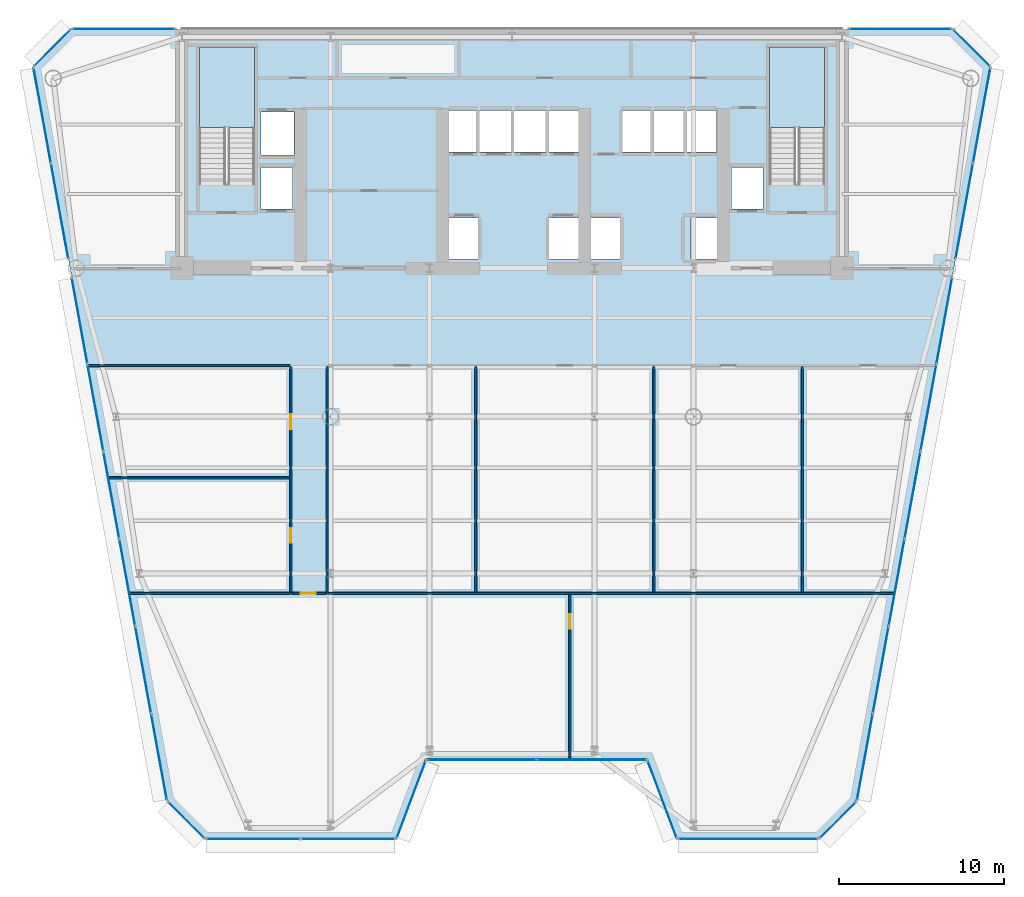
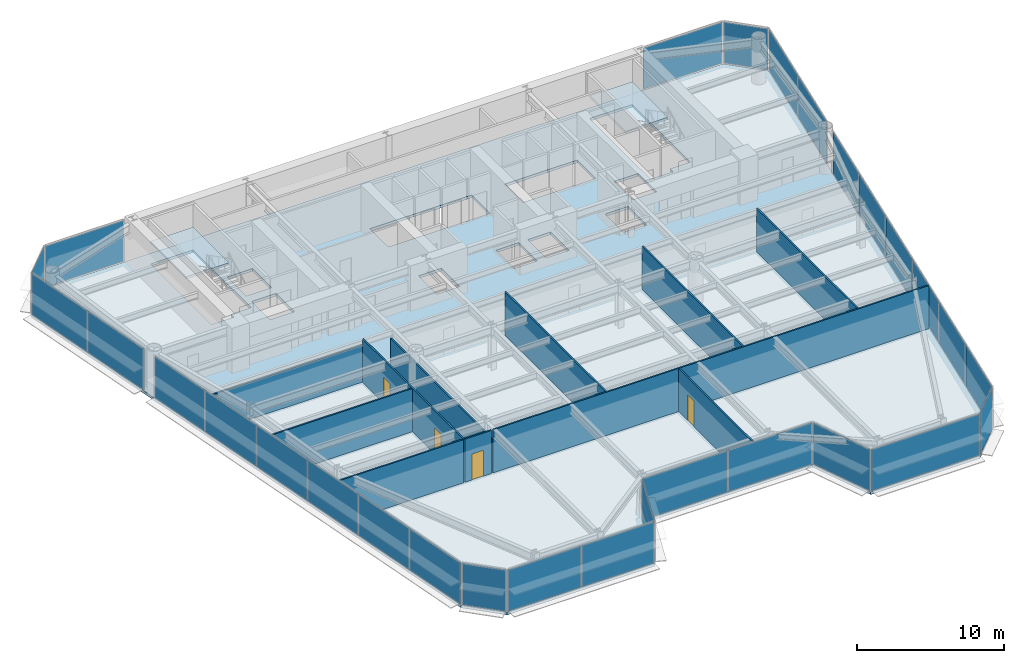
# One storey, part 7 of 14: 29 plates, 11 walls, 4 doors, 3 slabs, 4 openings, 17 elements without a shape of their own.
"""IFC4 building model written with IfcOpenShell, lengths in metres."""

from ifc_helpers import new_model, si_unit, direction, frame, frame_2d, origin, origin_2d, place, context, subcontext, project, spatial, polyline, rectangle, outline, extrude, source, transform, mapped, material, layer, layer_set, type_object, element, fill, aggregate, save


model = new_model("IFC4")

# Units and contexts
model_context = context("Model", 3, precision=1e-05, world=origin(), true_north=direction((0.0, 1.0)))
body_context = subcontext(model_context, "Body", "Model", "MODEL_VIEW")
ifc_project = project(units=[si_unit("LENGTHUNIT", "METRE"), si_unit("AREAUNIT", "SQUARE_METRE"), si_unit("VOLUMEUNIT", "CUBIC_METRE"), si_unit("PLANEANGLEUNIT", "RADIAN"), si_unit("MASSUNIT", "GRAM", prefix="KILO")], contexts=[model_context])

# Site, building, storey
site_placement = place(None, origin())
site = spatial("IfcSite", under=ifc_project, at=site_placement, CompositionType="ELEMENT")
building_placement = place(site_placement, origin())
building = spatial("IfcBuilding", under=site, at=building_placement, Name="Vaeldorn Concourse Tower", CompositionType="ELEMENT")
storey_placement = place(building_placement, frame((0.0, 0.0, 114.800048828125)))
storey = spatial("IfcBuildingStorey", under=building, at=storey_placement, Name="L29", CompositionType="ELEMENT", Elevation=114.800048828125)

# Stair, slab
ifc_material_1 = material(Name="Precast concrete C40/50", Category="concrete")
stair_type = type_object("IfcStairType", Name="STR-DOG-24x158", PredefinedType="HALF_TURN_STAIR", material=ifc_material_1)
stair_1_placement = place(storey_placement, origin())
stair_1 = element("IfcStair", 1, at=stair_1_placement, inside=storey, type_object=stair_type, Name="L29 West Core Exit Stair ST-1", PredefinedType="HALF_TURN_STAIR")
ifc_material_2 = material(Name="Concrete C40/50", Category="concrete")
ifc_layer_1 = layer(ifc_material_2, 0.199951171875)
ifc_layer_set_1 = layer_set([ifc_layer_1], Name="Concrete C40/50")
slab_type_1 = type_object("IfcSlabType", Name="SL-STAIR-LANDING", PredefinedType="LANDING", material=ifc_layer_set_1)
slab_1_placement = place(storey_placement, frame((0.0, 0.0, 1.699951171875)))
slab_1 = element("IfcSlab", 2, at=slab_1_placement, type_object=slab_type_1, Name="ST-1 landing 1", PredefinedType="LANDING", context=body_context, shape_type="SweptSolid", body=[
    extrude(outline(polyline([(18.39990234375, 45.010009765625), (18.39990234375, 49.89990234375), (15.050048828125, 49.89990234375), (15.050048828125, 45.010009765625), (18.39990234375, 45.010009765625)])), origin(), (0.0, 0.0, 1.0), 0.199951171875),
])
aggregate(stair_1, [slab_1])

stair_2_placement = place(storey_placement, origin())
stair_2 = element("IfcStair", 3, at=stair_2_placement, inside=storey, type_object=stair_type, Name="L29 East Core Exit Stair ST-2", PredefinedType="HALF_TURN_STAIR")
slab_2_placement = place(storey_placement, frame((0.0, 0.0, 1.699951171875)))
slab_2 = element("IfcSlab", 4, at=slab_2_placement, type_object=slab_type_1, Name="ST-2 landing 1", PredefinedType="LANDING", context=body_context, shape_type="SweptSolid", body=[
    extrude(outline(polyline([(52.949951171875, 45.010009765625), (52.949951171875, 49.89990234375), (49.60009765625, 49.89990234375), (49.60009765625, 45.010009765625), (52.949951171875, 45.010009765625)])), origin(), (0.0, 0.0, 1.0), 0.199951171875),
])
aggregate(stair_2, [slab_2])

# Slab
ifc_layer_2 = layer(ifc_material_2, 0.219970703125)
ifc_layer_set_2 = layer_set([ifc_layer_2], Name="Concrete C40/50")
slab_type_2 = type_object("IfcSlabType", Name="SL-TYP-220", PredefinedType="FLOOR", material=ifc_layer_set_2)
slab_3_placement = place(storey_placement, frame((0.0, 0.0, -0.219970703125)))
element("IfcSlab", 5, at=slab_3_placement, inside=storey, type_object=slab_type_2, Name="Structural Floor Slab L29", PredefinedType="FLOOR", context=body_context, shape_type="SweptSolid", body=[
    extrude(outline(polyline([(15.3994140625, 1.91259765625), (27.0, 1.91259765625), (28.800048828125, 6.712646484375), (42.199951171875, 6.712646484375), (44.0, 1.91259765625), (52.6005859375, 1.91259765625), (54.900634765625, 4.212646484375), (63.0, 48.699951171875), (60.699951171875, 51.0), (7.300048828125, 51.0), (5.0, 48.699951171875), (13.099365234375, 4.212646484375), (15.3994140625, 1.91259765625)]), holes=[polyline([(18.39990234375, 42.0), (18.39990234375, 49.89990234375), (15.050048828125, 49.89990234375), (15.050048828125, 41.60009765625), (16.800048828125, 41.60009765625), (16.800048828125, 42.0), (18.39990234375, 42.0)]), polyline([(52.949951171875, 42.0), (52.949951171875, 49.89990234375), (49.60009765625, 49.89990234375), (49.60009765625, 41.60009765625), (51.35009765625, 41.60009765625), (51.35009765625, 42.0), (52.949951171875, 42.0)]), polyline([(30.14990234375, 37.050048828125), (31.949951171875, 37.050048828125), (31.949951171875, 39.550048828125), (30.14990234375, 39.550048828125), (30.14990234375, 37.050048828125)]), polyline([(36.25, 37.050048828125), (38.050048828125, 37.050048828125), (38.050048828125, 39.550048828125), (36.25, 39.550048828125), (36.25, 37.050048828125)]), polyline([(30.10009765625, 43.550048828125), (38.10009765625, 43.550048828125), (38.10009765625, 46.050048828125), (30.10009765625, 46.050048828125), (30.10009765625, 43.550048828125)]), polyline([(38.75, 37.050048828125), (40.550048828125, 37.050048828125), (40.550048828125, 39.550048828125), (38.75, 39.550048828125), (38.75, 37.050048828125)]), polyline([(44.85009765625, 37.050048828125), (46.64990234375, 37.050048828125), (46.64990234375, 39.550048828125), (44.85009765625, 39.550048828125), (44.85009765625, 37.050048828125)]), polyline([(40.699951171875, 43.550048828125), (46.39990234375, 43.550048828125), (46.39990234375, 46.050048828125), (40.699951171875, 46.050048828125), (40.699951171875, 43.550048828125)]), polyline([(18.800048828125, 43.35009765625), (20.800048828125, 43.35009765625), (20.800048828125, 45.949951171875), (18.800048828125, 45.949951171875), (18.800048828125, 43.35009765625)]), polyline([(18.800048828125, 40.10009765625), (20.699951171875, 40.10009765625), (20.699951171875, 42.60009765625), (18.800048828125, 42.60009765625), (18.800048828125, 40.10009765625)]), polyline([(47.300048828125, 40.10009765625), (49.199951171875, 40.10009765625), (49.199951171875, 42.60009765625), (47.300048828125, 42.60009765625), (47.300048828125, 40.10009765625)])]), origin(), (0.0, 0.0, 1.0), 0.219970703125),
])

# Curtain wall, plate
ifc_material_3 = material(Name="Anodised Bronze Aluminium", Category="aluminium")
ifc_layer_3 = layer(ifc_material_3, 0.199951171875)
ifc_layer_set_3 = layer_set([ifc_layer_3], Name="Anodised Bronze Aluminium")
curtain_wall_type = type_object("IfcCurtainWallType", Name="CW-SYS-02", PredefinedType="NOTDEFINED", material=ifc_layer_set_3)
curtain_wall_1_placement = place(storey_placement, origin())
curtain_wall_1 = element("IfcCurtainWall", 6, at=curtain_wall_1_placement, inside=storey, type_object=curtain_wall_type, Name="Unitised Curtain Wall CW-L29-E02-1", PredefinedType="NOTDEFINED")
ifc_material_4 = material(Name="Bronze Tinted Low-E Insulated Glass", Category="glass")
ifc_layer_4 = layer(ifc_material_4, 0.031982421875)
ifc_layer_set_4 = layer_set([ifc_layer_4], Name="Bronze Tinted Low-E Insulated Glass")
plate_type = type_object("IfcPlateType", Name="CWP-VISION-32", PredefinedType="CURTAIN_PANEL", material=ifc_layer_set_4)
shared_shape_1 = source(origin(), body_context, "Body", "SweptSolid", [
    extrude(rectangle(XDim=4.976318359375, YDim=0.031982421875, at=origin_2d()), origin(), (0.0, 0.0, 1.0), 3.429931640625),
])
plate_1_placement = place(storey_placement, frame((27.89990234375, 4.3125, 0.0751953125), z_axis=(0.0, 0.0, 1.0), x_axis=(0.351123441595, 0.936329177566, 0.0)))
plate_1 = element("IfcPlate", 7, at=plate_1_placement, type_object=plate_type, Name="CW-02 panel 1.1", PredefinedType="CURTAIN_PANEL", context=body_context, shape_type="MappedRepresentation", body=[
    mapped(shared_shape_1, transform((0.0, 0.0, 0.0), scale=1.0)),
])
aggregate(curtain_wall_1, [plate_1])

curtain_wall_2_placement = place(storey_placement, origin())
curtain_wall_2 = element("IfcCurtainWall", 8, at=curtain_wall_2_placement, inside=storey, type_object=curtain_wall_type, Name="Unitised Curtain Wall CW-L29-E04-1", PredefinedType="NOTDEFINED")
plate_2_placement = place(storey_placement, frame((43.10009765625, 4.3125, 0.0751953125), z_axis=(0.0, 0.0, 1.0), x_axis=(0.351123441595, -0.936329177566, 0.0)))
plate_2 = element("IfcPlate", 9, at=plate_2_placement, type_object=plate_type, Name="CW-02 panel 1.1", PredefinedType="CURTAIN_PANEL", context=body_context, shape_type="MappedRepresentation", body=[
    mapped(shared_shape_1, transform((0.0, 0.0, 0.0), scale=1.0)),
])
aggregate(curtain_wall_2, [plate_2])

# Curtain wall, plates
curtain_wall_3_placement = place(storey_placement, origin())
curtain_wall_3 = element("IfcCurtainWall", 10, at=curtain_wall_3_placement, inside=storey, type_object=curtain_wall_type, Name="Unitised Curtain Wall CW-L29-E03-1", PredefinedType="NOTDEFINED")
shared_shape_2 = source(origin(), body_context, "Body", "SweptSolid", [
    extrude(rectangle(XDim=6.58740234375, YDim=0.031982421875, at=origin_2d()), origin(), (0.0, 0.0, 1.0), 3.429931640625),
])
plate_3_placement = place(storey_placement, frame((32.168701171875, 6.712646484375, 0.0751953125), z_axis=(0.0, 0.0, 1.0), x_axis=(1.0, 0.0, 0.0)))
plate_3 = element("IfcPlate", 11, at=plate_3_placement, type_object=plate_type, Name="CW-02 panel 1.1", PredefinedType="CURTAIN_PANEL", context=body_context, shape_type="MappedRepresentation", body=[
    mapped(shared_shape_2, transform((0.0, 0.0, 0.0), scale=1.0)),
])
plate_4_placement = place(storey_placement, frame((38.831298828125, 6.712646484375, 0.0751953125), z_axis=(0.0, 0.0, 1.0), x_axis=(1.0, 0.0, 0.0)))
plate_4 = element("IfcPlate", 12, at=plate_4_placement, type_object=plate_type, Name="CW-02 panel 2.1", PredefinedType="CURTAIN_PANEL", context=body_context, shape_type="MappedRepresentation", body=[
    mapped(shared_shape_2, transform((0.0, 0.0, 0.0), scale=1.0)),
])
aggregate(curtain_wall_3, [plate_3, plate_4])

# Curtain wall, plate
curtain_wall_4_placement = place(storey_placement, origin())
curtain_wall_4 = element("IfcCurtainWall", 13, at=curtain_wall_4_placement, inside=storey, type_object=curtain_wall_type, Name="Unitised Curtain Wall CW-L29-E06-1", PredefinedType="NOTDEFINED")
shared_shape_3 = source(origin(), body_context, "Body", "SweptSolid", [
    extrude(rectangle(XDim=3.102783203125, YDim=0.031982421875, at=origin_2d()), origin(), (0.0, 0.0, 1.0), 3.429931640625),
])
plate_5_placement = place(storey_placement, frame((53.75048828125, 3.0625, 0.0751953125), z_axis=(0.0, 0.0, 1.0), x_axis=(0.707106781187, 0.707106781187, 0.0)))
plate_5 = element("IfcPlate", 14, at=plate_5_placement, type_object=plate_type, Name="CW-02 panel 1.1", PredefinedType="CURTAIN_PANEL", context=body_context, shape_type="MappedRepresentation", body=[
    mapped(shared_shape_3, transform((0.0, 0.0, 0.0), scale=1.0)),
])
aggregate(curtain_wall_4, [plate_5])

curtain_wall_5_placement = place(storey_placement, origin())
curtain_wall_5 = element("IfcCurtainWall", 15, at=curtain_wall_5_placement, inside=storey, type_object=curtain_wall_type, Name="Unitised Curtain Wall CW-L29-E08-1", PredefinedType="NOTDEFINED")
plate_6_placement = place(storey_placement, frame((61.85009765625, 49.85009765625, 0.0751953125), z_axis=(0.0, 0.0, 1.0), x_axis=(-0.707106781187, 0.707106781187, 0.0)))
plate_6 = element("IfcPlate", 16, at=plate_6_placement, type_object=plate_type, Name="CW-02 panel 1.1", PredefinedType="CURTAIN_PANEL", context=body_context, shape_type="MappedRepresentation", body=[
    mapped(shared_shape_3, transform((0.0, 0.0, 0.0), scale=1.0)),
])
aggregate(curtain_wall_5, [plate_6])

curtain_wall_6_placement = place(storey_placement, origin())
curtain_wall_6 = element("IfcCurtainWall", 17, at=curtain_wall_6_placement, inside=storey, type_object=curtain_wall_type, Name="Unitised Curtain Wall CW-L29-E10-1", PredefinedType="NOTDEFINED")
plate_7_placement = place(storey_placement, frame((6.14990234375, 49.85009765625, 0.0751953125), z_axis=(0.0, 0.0, 1.0), x_axis=(-0.707106781187, -0.707106781187, 0.0)))
plate_7 = element("IfcPlate", 18, at=plate_7_placement, type_object=plate_type, Name="CW-02 panel 1.1", PredefinedType="CURTAIN_PANEL", context=body_context, shape_type="MappedRepresentation", body=[
    mapped(shared_shape_3, transform((0.0, 0.0, 0.0), scale=1.0)),
])
aggregate(curtain_wall_6, [plate_7])

curtain_wall_7_placement = place(storey_placement, origin())
curtain_wall_7 = element("IfcCurtainWall", 19, at=curtain_wall_7_placement, inside=storey, type_object=curtain_wall_type, Name="Unitised Curtain Wall CW-L29-E12-1", PredefinedType="NOTDEFINED")
plate_8_placement = place(storey_placement, frame((14.24951171875, 3.0625, 0.0751953125), z_axis=(0.0, 0.0, 1.0), x_axis=(0.707106781187, -0.707106781187, 0.0)))
plate_8 = element("IfcPlate", 20, at=plate_8_placement, type_object=plate_type, Name="CW-02 panel 1.1", PredefinedType="CURTAIN_PANEL", context=body_context, shape_type="MappedRepresentation", body=[
    mapped(shared_shape_3, transform((0.0, 0.0, 0.0), scale=1.0)),
])
aggregate(curtain_wall_7, [plate_8])

# Curtain wall, plates
curtain_wall_8_placement = place(storey_placement, origin())
curtain_wall_8 = element("IfcCurtainWall", 21, at=curtain_wall_8_placement, inside=storey, type_object=curtain_wall_type, Name="Unitised Curtain Wall CW-L29-E01-1", PredefinedType="NOTDEFINED")
shared_shape_4 = source(origin(), body_context, "Body", "SweptSolid", [
    extrude(rectangle(XDim=5.687744140625, YDim=0.031982421875, at=origin_2d()), origin(), (0.0, 0.0, 1.0), 3.429931640625),
])
plate_9_placement = place(storey_placement, frame((18.318359375, 1.91259765625, 0.0751953125), z_axis=(0.0, 0.0, 1.0), x_axis=(1.0, 0.0, 0.0)))
plate_9 = element("IfcPlate", 22, at=plate_9_placement, type_object=plate_type, Name="CW-02 panel 1.1", PredefinedType="CURTAIN_PANEL", context=body_context, shape_type="MappedRepresentation", body=[
    mapped(shared_shape_4, transform((0.0, 0.0, 0.0), scale=1.0)),
])
plate_10_placement = place(storey_placement, frame((24.0810546875, 1.91259765625, 0.0751953125), z_axis=(0.0, 0.0, 1.0), x_axis=(1.0, 0.0, 0.0)))
plate_10 = element("IfcPlate", 23, at=plate_10_placement, type_object=plate_type, Name="CW-02 panel 2.1", PredefinedType="CURTAIN_PANEL", context=body_context, shape_type="MappedRepresentation", body=[
    mapped(shared_shape_4, transform((0.0, 0.0, 0.0), scale=1.0)),
])
aggregate(curtain_wall_8, [plate_9, plate_10])

# Curtain wall, plate
curtain_wall_9_placement = place(storey_placement, origin())
curtain_wall_9 = element("IfcCurtainWall", 24, at=curtain_wall_9_placement, inside=storey, type_object=curtain_wall_type, Name="Unitised Curtain Wall CW-L29-E05-1", PredefinedType="NOTDEFINED")
shared_shape_5 = source(origin(), body_context, "Body", "SweptSolid", [
    extrude(rectangle(XDim=8.45068359375, YDim=0.031982421875, at=origin_2d()), origin(), (0.0, 0.0, 1.0), 3.429931640625),
])
plate_11_placement = place(storey_placement, frame((48.30029296875, 1.91259765625, 0.0751953125), z_axis=(0.0, 0.0, 1.0), x_axis=(1.0, 0.0, 0.0)))
plate_11 = element("IfcPlate", 25, at=plate_11_placement, type_object=plate_type, Name="CW-02 panel 1.1", PredefinedType="CURTAIN_PANEL", context=body_context, shape_type="MappedRepresentation", body=[
    mapped(shared_shape_5, transform((0.0, 0.0, 0.0), scale=1.0)),
])
aggregate(curtain_wall_9, [plate_11])

curtain_wall_10_placement = place(storey_placement, origin())
curtain_wall_10 = element("IfcCurtainWall", 26, at=curtain_wall_10_placement, inside=storey, type_object=curtain_wall_type, Name="Unitised Curtain Wall CW-L29-E09-1", PredefinedType="NOTDEFINED")
shared_shape_6 = source(origin(), body_context, "Body", "SweptSolid", [
    extrude(rectangle(XDim=6.179931640625, YDim=0.031982421875, at=origin_2d()), origin(), (0.0, 0.0, 1.0), 3.429931640625),
])
plate_12_placement = place(storey_placement, frame((57.534912109375, 51.0, 0.0751953125), z_axis=(0.0, 0.0, 1.0), x_axis=(-1.0, 0.0, 0.0)))
plate_12 = element("IfcPlate", 27, at=plate_12_placement, type_object=plate_type, Name="CW-02 panel 1.1", PredefinedType="CURTAIN_PANEL", context=body_context, shape_type="MappedRepresentation", body=[
    mapped(shared_shape_6, transform((0.0, 0.0, 0.0), scale=1.0)),
])
aggregate(curtain_wall_10, [plate_12])

curtain_wall_11_placement = place(storey_placement, origin())
curtain_wall_11 = element("IfcCurtainWall", 28, at=curtain_wall_11_placement, inside=storey, type_object=curtain_wall_type, Name="Unitised Curtain Wall CW-L29-E09-2", PredefinedType="NOTDEFINED")
plate_13_placement = place(storey_placement, frame((10.465087890625, 51.0, 0.0751953125), z_axis=(0.0, 0.0, 1.0), x_axis=(-1.0, 0.0, 0.0)))
plate_13 = element("IfcPlate", 29, at=plate_13_placement, type_object=plate_type, Name="CW-02 panel 1.1", PredefinedType="CURTAIN_PANEL", context=body_context, shape_type="MappedRepresentation", body=[
    mapped(shared_shape_6, transform((0.0, 0.0, 0.0), scale=1.0)),
])
aggregate(curtain_wall_11, [plate_13])

# Curtain wall, plates
curtain_wall_12_placement = place(storey_placement, origin())
curtain_wall_12 = element("IfcCurtainWall", 30, at=curtain_wall_12_placement, inside=storey, type_object=curtain_wall_type, Name="Unitised Curtain Wall CW-L29-E07-1", PredefinedType="NOTDEFINED")
shared_shape_7 = source(origin(), body_context, "Body", "SweptSolid", [
    extrude(rectangle(XDim=5.26953125, YDim=0.031982421875, at=origin_2d()), origin(), (0.0, 0.0, 1.0), 3.429931640625),
])
plate_14_placement = place(storey_placement, frame((55.385986328125, 6.87841796875, 0.0751953125), z_axis=(0.0, 0.0, 1.0), x_axis=(0.179117617213, 0.983827667432, 0.0)))
plate_14 = element("IfcPlate", 31, at=plate_14_placement, type_object=plate_type, Name="CW-02 panel 1.1", PredefinedType="CURTAIN_PANEL", context=body_context, shape_type="MappedRepresentation", body=[
    mapped(shared_shape_7, transform((0.0, 0.0, 0.0), scale=1.0)),
])
plate_15_placement = place(storey_placement, frame((60.19921875, 33.316162109375, 0.0751953125), z_axis=(0.0, 0.0, 1.0), x_axis=(0.179117617213, 0.983827667432, 0.0)))
plate_15 = element("IfcPlate", 32, at=plate_15_placement, type_object=plate_type, Name="CW-02 panel 6.1", PredefinedType="CURTAIN_PANEL", context=body_context, shape_type="MappedRepresentation", body=[
    mapped(shared_shape_7, transform((0.0, 0.0, 0.0), scale=1.0)),
])

curtain_wall_13_placement = place(storey_placement, origin())
curtain_wall_13 = element("IfcCurtainWall", 33, at=curtain_wall_13_placement, inside=storey, type_object=curtain_wall_type, Name="Unitised Curtain Wall CW-L29-E11-2", PredefinedType="NOTDEFINED")
plate_16_placement = place(storey_placement, frame((7.80078125, 33.316162109375, 0.0751953125), z_axis=(0.0, 0.0, 1.0), x_axis=(0.179117617213, -0.983827667432, 0.0)))
plate_16 = element("IfcPlate", 34, at=plate_16_placement, type_object=plate_type, Name="CW-02 panel 1.1", PredefinedType="CURTAIN_PANEL", context=body_context, shape_type="MappedRepresentation", body=[
    mapped(shared_shape_7, transform((0.0, 0.0, 0.0), scale=1.0)),
])
plate_17_placement = place(storey_placement, frame((12.614013671875, 6.87841796875, 0.0751953125), z_axis=(0.0, 0.0, 1.0), x_axis=(0.179117617213, -0.983827667432, 0.0)))
plate_17 = element("IfcPlate", 35, at=plate_17_placement, type_object=plate_type, Name="CW-02 panel 6.1", PredefinedType="CURTAIN_PANEL", context=body_context, shape_type="MappedRepresentation", body=[
    mapped(shared_shape_7, transform((0.0, 0.0, 0.0), scale=1.0)),
])

# Plate
shared_shape_8 = source(origin(), body_context, "Body", "SweptSolid", [
    extrude(rectangle(XDim=5.306884765625, YDim=0.031982421875, at=origin_2d()), origin(), (0.0, 0.0, 1.0), 3.429931640625),
])
plate_18_placement = place(storey_placement, frame((56.3466796875, 12.155029296875, 0.0751953125), z_axis=(0.0, 0.0, 1.0), x_axis=(0.179117617213, 0.983827667432, 0.0)))
plate_18 = element("IfcPlate", 36, at=plate_18_placement, type_object=plate_type, Name="CW-02 panel 2.1", PredefinedType="CURTAIN_PANEL", context=body_context, shape_type="MappedRepresentation", body=[
    mapped(shared_shape_8, transform((0.0, 0.0, 0.0), scale=1.0)),
])

plate_19_placement = place(storey_placement, frame((57.310546875, 17.449951171875, 0.0751953125), z_axis=(0.0, 0.0, 1.0), x_axis=(0.179117617213, 0.983827667432, 0.0)))
plate_19 = element("IfcPlate", 37, at=plate_19_placement, type_object=plate_type, Name="CW-02 panel 3.1", PredefinedType="CURTAIN_PANEL", context=body_context, shape_type="MappedRepresentation", body=[
    mapped(shared_shape_8, transform((0.0, 0.0, 0.0), scale=1.0)),
])

plate_20_placement = place(storey_placement, frame((58.274658203125, 22.74462890625, 0.0751953125), z_axis=(0.0, 0.0, 1.0), x_axis=(0.179117617213, 0.983827667432, 0.0)))
plate_20 = element("IfcPlate", 38, at=plate_20_placement, type_object=plate_type, Name="CW-02 panel 4.1", PredefinedType="CURTAIN_PANEL", context=body_context, shape_type="MappedRepresentation", body=[
    mapped(shared_shape_8, transform((0.0, 0.0, 0.0), scale=1.0)),
])

plate_21_placement = place(storey_placement, frame((59.238525390625, 28.03955078125, 0.0751953125), z_axis=(0.0, 0.0, 1.0), x_axis=(0.179117617213, 0.983827667432, 0.0)))
plate_21 = element("IfcPlate", 39, at=plate_21_placement, type_object=plate_type, Name="CW-02 panel 5.1", PredefinedType="CURTAIN_PANEL", context=body_context, shape_type="MappedRepresentation", body=[
    mapped(shared_shape_8, transform((0.0, 0.0, 0.0), scale=1.0)),
])

aggregate(curtain_wall_12, [plate_14, plate_18, plate_19, plate_20, plate_21, plate_15])

plate_22_placement = place(storey_placement, frame((8.761474609375, 28.03955078125, 0.0751953125), z_axis=(0.0, 0.0, 1.0), x_axis=(0.179117617213, -0.983827667432, 0.0)))
plate_22 = element("IfcPlate", 40, at=plate_22_placement, type_object=plate_type, Name="CW-02 panel 2.1", PredefinedType="CURTAIN_PANEL", context=body_context, shape_type="MappedRepresentation", body=[
    mapped(shared_shape_8, transform((0.0, 0.0, 0.0), scale=1.0)),
])

plate_23_placement = place(storey_placement, frame((9.725341796875, 22.74462890625, 0.0751953125), z_axis=(0.0, 0.0, 1.0), x_axis=(0.179117617213, -0.983827667432, 0.0)))
plate_23 = element("IfcPlate", 41, at=plate_23_placement, type_object=plate_type, Name="CW-02 panel 3.1", PredefinedType="CURTAIN_PANEL", context=body_context, shape_type="MappedRepresentation", body=[
    mapped(shared_shape_8, transform((0.0, 0.0, 0.0), scale=1.0)),
])

plate_24_placement = place(storey_placement, frame((10.689453125, 17.449951171875, 0.0751953125), z_axis=(0.0, 0.0, 1.0), x_axis=(0.179117617213, -0.983827667432, 0.0)))
plate_24 = element("IfcPlate", 42, at=plate_24_placement, type_object=plate_type, Name="CW-02 panel 4.1", PredefinedType="CURTAIN_PANEL", context=body_context, shape_type="MappedRepresentation", body=[
    mapped(shared_shape_8, transform((0.0, 0.0, 0.0), scale=1.0)),
])

plate_25_placement = place(storey_placement, frame((11.6533203125, 12.155029296875, 0.0751953125), z_axis=(0.0, 0.0, 1.0), x_axis=(0.179117617213, -0.983827667432, 0.0)))
plate_25 = element("IfcPlate", 43, at=plate_25_placement, type_object=plate_type, Name="CW-02 panel 5.1", PredefinedType="CURTAIN_PANEL", context=body_context, shape_type="MappedRepresentation", body=[
    mapped(shared_shape_8, transform((0.0, 0.0, 0.0), scale=1.0)),
])

aggregate(curtain_wall_13, [plate_16, plate_22, plate_23, plate_24, plate_25, plate_17])

# Curtain wall, plates
curtain_wall_14_placement = place(storey_placement, origin())
curtain_wall_14 = element("IfcCurtainWall", 44, at=curtain_wall_14_placement, inside=storey, type_object=curtain_wall_type, Name="Unitised Curtain Wall CW-L29-E07-2", PredefinedType="NOTDEFINED")
shared_shape_9 = source(origin(), body_context, "Body", "SweptSolid", [
    extrude(rectangle(XDim=5.824462890625, YDim=0.031982421875, at=origin_2d()), origin(), (0.0, 0.0, 1.0), 3.429931640625),
])
plate_26_placement = place(storey_placement, frame((61.408203125, 39.95703125, 0.0751953125), z_axis=(0.0, 0.0, 1.0), x_axis=(0.179113696395, 0.983828381255, 0.0)))
plate_26 = element("IfcPlate", 45, at=plate_26_placement, type_object=plate_type, Name="CW-02 panel 1.1", PredefinedType="CURTAIN_PANEL", context=body_context, shape_type="MappedRepresentation", body=[
    mapped(shared_shape_9, transform((0.0, 0.0, 0.0), scale=1.0)),
])
plate_27_placement = place(storey_placement, frame((62.46484375, 45.760986328125, 0.0751953125), z_axis=(0.0, 0.0, 1.0), x_axis=(0.179113696395, 0.983828381255, 0.0)))
plate_27 = element("IfcPlate", 46, at=plate_27_placement, type_object=plate_type, Name="CW-02 panel 2.1", PredefinedType="CURTAIN_PANEL", context=body_context, shape_type="MappedRepresentation", body=[
    mapped(shared_shape_9, transform((0.0, 0.0, 0.0), scale=1.0)),
])
aggregate(curtain_wall_14, [plate_26, plate_27])

curtain_wall_15_placement = place(storey_placement, origin())
curtain_wall_15 = element("IfcCurtainWall", 47, at=curtain_wall_15_placement, inside=storey, type_object=curtain_wall_type, Name="Unitised Curtain Wall CW-L29-E11-1", PredefinedType="NOTDEFINED")
plate_28_placement = place(storey_placement, frame((5.53515625, 45.760986328125, 0.0751953125), z_axis=(0.0, 0.0, 1.0), x_axis=(0.179113696395, -0.983828381255, 0.0)))
plate_28 = element("IfcPlate", 48, at=plate_28_placement, type_object=plate_type, Name="CW-02 panel 1.1", PredefinedType="CURTAIN_PANEL", context=body_context, shape_type="MappedRepresentation", body=[
    mapped(shared_shape_9, transform((0.0, 0.0, 0.0), scale=1.0)),
])
plate_29_placement = place(storey_placement, frame((6.591796875, 39.95703125, 0.0751953125), z_axis=(0.0, 0.0, 1.0), x_axis=(0.179113696395, -0.983828381255, 0.0)))
plate_29 = element("IfcPlate", 49, at=plate_29_placement, type_object=plate_type, Name="CW-02 panel 2.1", PredefinedType="CURTAIN_PANEL", context=body_context, shape_type="MappedRepresentation", body=[
    mapped(shared_shape_9, transform((0.0, 0.0, 0.0), scale=1.0)),
])
aggregate(curtain_wall_15, [plate_28, plate_29])

# Wall
ifc_material_5 = material(Name="Gypsum Board Partition", Category="gypsum")
ifc_layer_5 = layer(ifc_material_5, 0.1201171875)
ifc_layer_set_5 = layer_set([ifc_layer_5], Name="Gypsum Board Partition")
wall_type = type_object("IfcWallType", Name="WL-PART-120", PredefinedType="PARTITIONING", material=ifc_layer_set_5)
wall_1_placement = place(storey_placement, frame((8.335205078125, 30.60009765625, 0.0), z_axis=(0.0, 0.0, 1.0), x_axis=(1.0, 0.0, 0.0)))
element("IfcWall", 50, at=wall_1_placement, inside=storey, type_object=wall_type, Name="Interior Wall PW-L29-C2SW", PredefinedType="PARTITIONING", context=body_context, shape_type="SweptSolid", body=[
    extrude(rectangle(XDim=12.204833984375, YDim=0.1201171875, at=frame_2d((6.1025390625, 0.0))), origin(), (0.0, 0.0, 1.0), 3.070068359375),
])

# Wall, openings, doors
wall_2_placement = place(storey_placement, frame((20.60009765625, 16.800048828125, 0.0), z_axis=(0.0, 0.0, 1.0), x_axis=(0.0, 1.0, 0.0)))
wall_2 = element("IfcWall", 51, at=wall_2_placement, inside=storey, type_object=wall_type, Name="Interior Wall PW-L29-SP2W", PredefinedType="PARTITIONING", context=body_context, shape_type="SweptSolid", body=[
    extrude(rectangle(XDim=13.739990234375, YDim=0.1201171875, at=frame_2d((6.8701171875, 0.0))), origin(), (0.0, 0.0, 1.0), 3.579833984375),
])
opening_1_placement = place(wall_2_placement, frame((3.050048828125, 0.0, 0.0)))
opening_1 = element("IfcOpeningElement", 52, at=opening_1_placement, cuts=wall_2, Name="Opening D-03", PredefinedType="OPENING", context=body_context, shape_type="SweptSolid", body=[
    extrude(rectangle(XDim=0.89990234375, YDim=2.14990234375, at=frame_2d((0.449951171875, 1.074951171875))), frame((0.0, 0.070068359375, 0.0), z_axis=(0.0, -1.0, 0.0), x_axis=(1.0, 0.0, 0.0)), (0.0, 0.0, 1.0), 0.14013671875),
])
opening_2_placement = place(wall_2_placement, frame((9.949951171875, 0.0, 0.0)))
opening_2 = element("IfcOpeningElement", 53, at=opening_2_placement, cuts=wall_2, Name="Opening D-03", PredefinedType="OPENING", context=body_context, shape_type="SweptSolid", body=[
    extrude(rectangle(XDim=0.89990234375, YDim=2.14990234375, at=frame_2d((0.449951171875, 1.074951171875))), frame((0.0, 0.070068359375, 0.0), z_axis=(0.0, -1.0, 0.0), x_axis=(1.0, 0.0, 0.0)), (0.0, 0.0, 1.0), 0.14013671875),
])
ifc_material_6 = material(Name="Acoustic Bronze-Framed Glass Door", Category="glass")
door_type = type_object("IfcDoorType", Name="DR-INT-900", OperationType="NOTDEFINED", PredefinedType="DOOR", material=ifc_material_6)
shared_shape_10 = source(origin(), body_context, "Body", "SweptSolid", [
    extrude(rectangle(XDim=0.89990234375, YDim=2.14990234375, at=frame_2d((0.449951171875, 1.074951171875))), frame((0.0, 0.02490234375, 0.0), z_axis=(0.0, -1.0, 0.0), x_axis=(1.0, 0.0, 0.0)), (0.0, 0.0, 1.0), 0.050048828125),
])
door_1_placement = place(opening_1_placement, origin())
door_1 = element("IfcDoor", 54, at=door_1_placement, inside=storey, type_object=door_type, Name="Interior Door DR-L29-Z2W1", OperationType="SINGLE_SWING_LEFT", OverallHeight=2.14990234375, OverallWidth=0.89990234375, PredefinedType="DOOR", context=body_context, shape_type="MappedRepresentation", body=[
    mapped(shared_shape_10, transform((0.0, 0.0, 0.0), scale=1.0)),
])
fill(opening_1, door_1)
door_2_placement = place(opening_2_placement, origin())
door_2 = element("IfcDoor", 55, at=door_2_placement, inside=storey, type_object=door_type, Name="Interior Door DR-L29-Z2W2", OperationType="SINGLE_SWING_RIGHT", OverallHeight=2.14990234375, OverallWidth=0.89990234375, PredefinedType="DOOR", context=body_context, shape_type="MappedRepresentation", body=[
    mapped(shared_shape_10, transform((0.0, 0.0, 0.0), scale=1.0)),
])
fill(opening_2, door_2)

# Wall
wall_3_placement = place(storey_placement, frame((22.800048828125, 16.800048828125, 0.0), z_axis=(0.0, 0.0, 1.0), x_axis=(0.0, 1.0, 0.0)))
element("IfcWall", 56, at=wall_3_placement, inside=storey, type_object=wall_type, Name="Interior Wall PW-L29-SP2E", PredefinedType="PARTITIONING", context=body_context, shape_type="SweptSolid", body=[
    extrude(rectangle(XDim=13.739990234375, YDim=0.1201171875, at=frame_2d((6.8701171875, 0.0))), origin(), (0.0, 0.0, 1.0), 2.869873046875),
])

# Wall, opening, door
wall_4_placement = place(storey_placement, frame((20.659912109375, 16.800048828125, 0.0), z_axis=(0.0, 0.0, 1.0), x_axis=(1.0, 0.0, 0.0)))
wall_4 = element("IfcWall", 57, at=wall_4_placement, inside=storey, type_object=wall_type, Name="Interior Wall PW-L29-SP2S", PredefinedType="PARTITIONING", context=body_context, shape_type="SweptSolid", body=[
    extrude(rectangle(XDim=2.080078125, YDim=0.1201171875, at=frame_2d((1.0400390625, 0.0))), origin(), (0.0, 0.0, 1.0), 3.579833984375),
])
opening_3_placement = place(wall_4_placement, frame((0.550048828125, 0.0, 0.0)))
opening_3 = element("IfcOpeningElement", 58, at=opening_3_placement, cuts=wall_4, Name="Opening D-03", PredefinedType="OPENING", context=body_context, shape_type="SweptSolid", body=[
    extrude(rectangle(XDim=0.89990234375, YDim=2.14990234375, at=frame_2d((0.449951171875, 1.074951171875))), frame((0.0, 0.070068359375, 0.0), z_axis=(0.0, -1.0, 0.0), x_axis=(1.0, 0.0, 0.0)), (0.0, 0.0, 1.0), 0.14013671875),
])
door_3_placement = place(opening_3_placement, origin())
door_3 = element("IfcDoor", 59, at=door_3_placement, inside=storey, type_object=door_type, Name="Interior Door DR-L29-Z2SFM", OperationType="SINGLE_SWING_LEFT", OverallHeight=2.14990234375, OverallWidth=0.89990234375, PredefinedType="DOOR", context=body_context, shape_type="MappedRepresentation", body=[
    mapped(shared_shape_10, transform((0.0, 0.0, 0.0), scale=1.0)),
])
fill(opening_3, door_3)

# Walls
wall_5_placement = place(storey_placement, frame((10.84765625, 16.800048828125, 0.0), z_axis=(0.0, 0.0, 1.0), x_axis=(1.0, 0.0, 0.0)))
element("IfcWall", 60, at=wall_5_placement, inside=storey, type_object=wall_type, Name="Interior Wall PW-L29-S2WL", PredefinedType="PARTITIONING", context=body_context, shape_type="SweptSolid", body=[
    extrude(rectangle(XDim=9.6923828125, YDim=0.1201171875, at=frame_2d((4.84619140625, 0.0))), origin(), (0.0, 0.0, 1.0), 3.579833984375),
])
wall_6_placement = place(storey_placement, frame((22.860107421875, 16.800048828125, 0.0), z_axis=(0.0, 0.0, 1.0), x_axis=(1.0, 0.0, 0.0)))
element("IfcWall", 61, at=wall_6_placement, inside=storey, type_object=wall_type, Name="Interior Wall PW-L29-S2EL", PredefinedType="PARTITIONING", context=body_context, shape_type="SweptSolid", body=[
    extrude(rectangle(XDim=34.292236328125, YDim=0.1201171875, at=frame_2d((17.14599609375, 0.0))), origin(), (0.0, 0.0, 1.0), 3.579833984375),
])

# Wall, opening, door
wall_7_placement = place(storey_placement, frame((37.5, 6.752685546875, 0.0), z_axis=(0.0, 0.0, 1.0), x_axis=(0.0, 1.0, 0.0)))
wall_7 = element("IfcWall", 62, at=wall_7_placement, inside=storey, type_object=wall_type, Name="Interior Wall PW-L29-Z2SFX1", PredefinedType="PARTITIONING", context=body_context, shape_type="SweptSolid", body=[
    extrude(rectangle(XDim=9.9873046875, YDim=0.1201171875, at=frame_2d((4.99365234375, 0.0))), origin(), (0.0, 0.0, 1.0), 3.579833984375),
])
opening_4_placement = place(wall_7_placement, frame((7.886962890625, 0.0, 0.0)))
opening_4 = element("IfcOpeningElement", 63, at=opening_4_placement, cuts=wall_7, Name="Opening D-03", PredefinedType="OPENING", context=body_context, shape_type="SweptSolid", body=[
    extrude(rectangle(XDim=0.89990234375, YDim=2.14990234375, at=frame_2d((0.449951171875, 1.074951171875))), frame((0.0, 0.070068359375, 0.0), z_axis=(0.0, -1.0, 0.0), x_axis=(1.0, 0.0, 0.0)), (0.0, 0.0, 1.0), 0.14013671875),
])
door_4_placement = place(opening_4_placement, origin())
door_4 = element("IfcDoor", 64, at=door_4_placement, inside=storey, type_object=door_type, Name="Interior Door DR-L29-Z2SFX1", OperationType="SINGLE_SWING_RIGHT", OverallHeight=2.14990234375, OverallWidth=0.89990234375, PredefinedType="DOOR", context=body_context, shape_type="MappedRepresentation", body=[
    mapped(shared_shape_10, transform((0.0, 0.0, 0.0), scale=1.0)),
])
fill(opening_4, door_4)

# Walls
wall_8_placement = place(storey_placement, frame((9.5732421875, 23.800048828125, 0.0), z_axis=(0.0, 0.0, 1.0), x_axis=(1.0, 0.0, 0.0)))
element("IfcWall", 65, at=wall_8_placement, inside=storey, type_object=wall_type, Name="Interior Wall PW-L29-Z2WY1", PredefinedType="PARTITIONING", context=body_context, shape_type="SweptSolid", body=[
    extrude(rectangle(XDim=10.966796875, YDim=0.1201171875, at=frame_2d((5.4833984375, 0.0))), origin(), (0.0, 0.0, 1.0), 3.579833984375),
])
for number, where, z_axis, x_axis, name in (
    (66, (31.800048828125, 16.860107421875, 0.0), (0.0, 0.0, 1.0), (0.0, 1.0, 0.0), "Interior Wall PW-L29-Z2EX1"),
    (67, (42.60009765625, 16.860107421875, 0.0), (0.0, 0.0, 1.0), (0.0, 1.0, 0.0), "Interior Wall PW-L29-Z2EX2"),
    (68, (51.60009765625, 16.860107421875, 0.0), (0.0, 0.0, 1.0), (0.0, 1.0, 0.0), "Interior Wall PW-L29-Z2EX3"),
):
    element("IfcWall", number, at=place(storey_placement, frame(where, z_axis=z_axis, x_axis=x_axis)), inside=storey, type_object=wall_type, Name=name, PredefinedType="PARTITIONING", context=body_context, shape_type="SweptSolid", body=[
        extrude(rectangle(XDim=13.679931640625, YDim=0.1201171875, at=frame_2d((6.83984375, 0.0))), origin(), (0.0, 0.0, 1.0), 3.579833984375),
    ])

save(model, "model.ifc")
